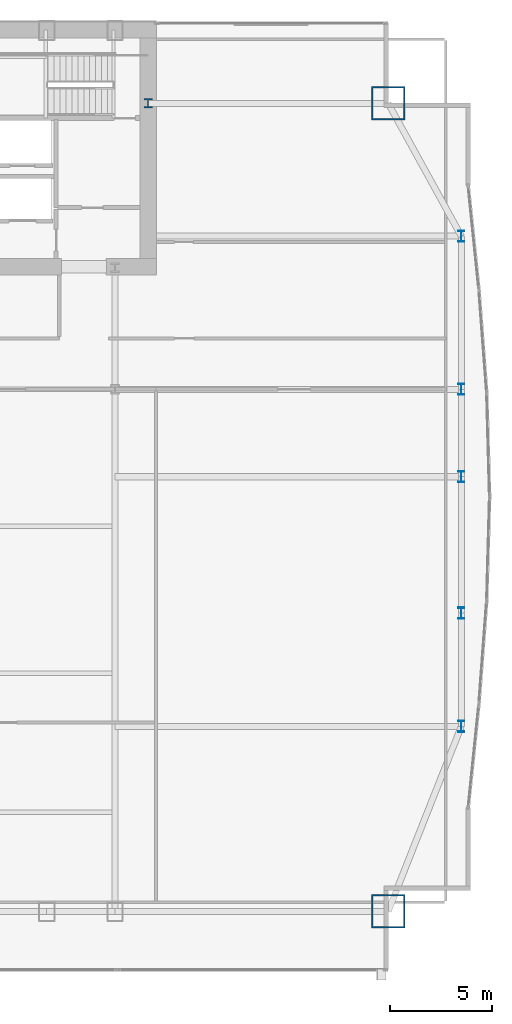
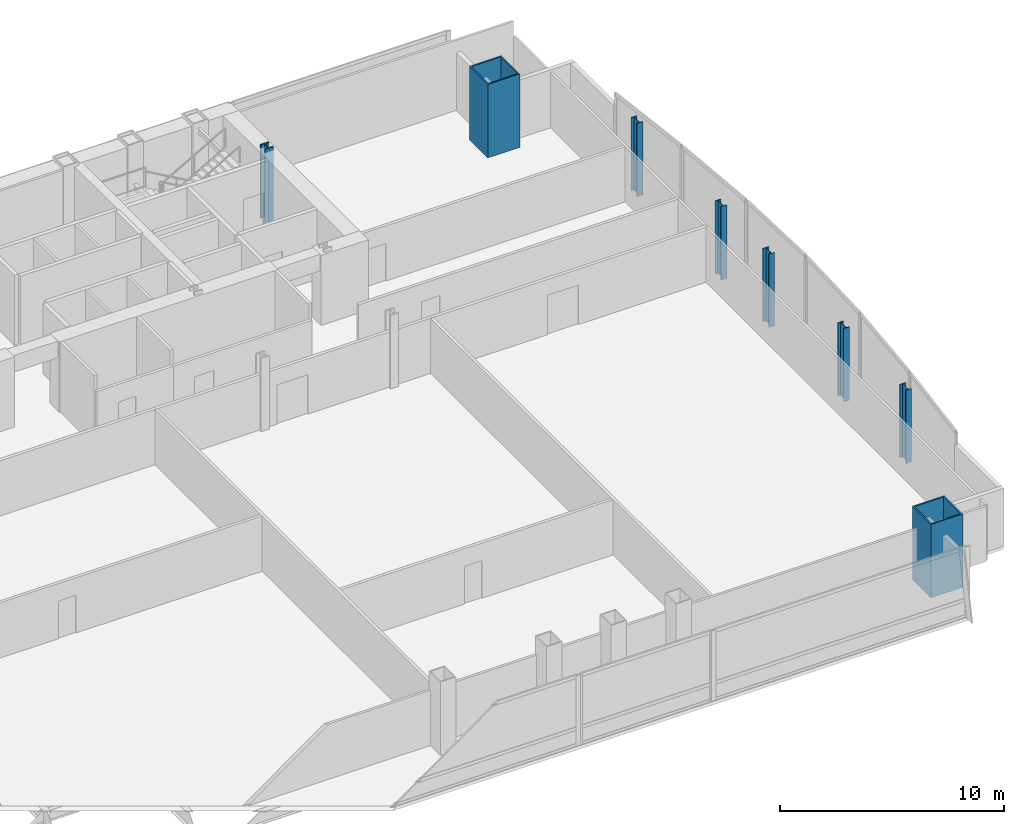
# One storey, part 4 of 32: 8 columns.
"""IFC4 building model written with IfcOpenShell, lengths in metres."""

from ifc_helpers import new_model, si_unit, direction, frame, origin, origin_2d, place, context, subcontext, project, spatial, hollow_rectangle, i_section, extrude, material, material_profile, profile_set, type_object, element, save


model = new_model("IFC4")

# Units and contexts
model_context = context("Model", 3, precision=1e-05, world=origin(), true_north=direction((0.0, 1.0)))
body_context = subcontext(model_context, "Body", "Model", "MODEL_VIEW")
ifc_project = project(units=[si_unit("LENGTHUNIT", "METRE"), si_unit("AREAUNIT", "SQUARE_METRE"), si_unit("VOLUMEUNIT", "CUBIC_METRE"), si_unit("PLANEANGLEUNIT", "RADIAN"), si_unit("MASSUNIT", "GRAM", prefix="KILO")], contexts=[model_context])

# Site, building, storey
site_placement = place(None, origin())
site = spatial("IfcSite", under=ifc_project, at=site_placement, CompositionType="ELEMENT")
building_placement = place(site_placement, origin())
building = spatial("IfcBuilding", under=site, at=building_placement, Name="Khoronbel Lancet Exchange", CompositionType="ELEMENT")
storey_placement = place(building_placement, frame((0.0, 0.0, 29.800048828125)))
storey = spatial("IfcBuildingStorey", under=building, at=storey_placement, Name="L06", CompositionType="ELEMENT", Elevation=29.800048828125)

# Columns
ifc_material_1 = material(Name="Steel S460", Category="steel")
ifc_material_profile_1 = material_profile(ifc_material_1, i_section(OverallWidth=0.424072265625, OverallDepth=0.47412109375, WebThickness=0.047607421875, FlangeThickness=0.076904296875, at=origin_2d()), Name="HD 400x634")
ifc_profile_set_1 = profile_set([ifc_material_profile_1], Name="Steel S460")
column_type_1 = type_object("IfcColumnType", Name="COL-IC1", PredefinedType="COLUMN", material=ifc_profile_set_1)
column_placement = place(storey_placement, frame((56.300048828125, 49.699951171875, 0.0), z_axis=(0.0, 0.0, 1.0), x_axis=(1.0, 0.0, 0.0)))
element("IfcColumn", 1, at=column_placement, inside=storey, type_object=column_type_1, Name="Core-flank plumb transfer column CFE L06", PredefinedType="COLUMN", context=body_context, shape_type="SweptSolid", body=[
    extrude(i_section(OverallWidth=0.424072265625, OverallDepth=0.47412109375, WebThickness=0.047607421875, FlangeThickness=0.076904296875, at=origin_2d()), origin(), (0.0, 0.0, 1.0), 4.0),
])
ifc_material_2 = material(Name="Steel S355", Category="steel")
ifc_material_profile_2 = material_profile(ifc_material_2, i_section(OverallWidth=0.300048828125, OverallDepth=0.550048828125, WebThickness=0.014892578125, FlangeThickness=0.029052734375, at=origin_2d()), Name="HEB 550")
ifc_profile_set_2 = profile_set([ifc_material_profile_2], Name="Steel S355")
column_type_2 = type_object("IfcColumnType", Name="COL-LC1", PredefinedType="COLUMN", material=ifc_profile_set_2)
for number, where, z_axis, x_axis, name in (
    (2, (71.6298828125, 19.199951171875, 0.0), (0.0, 0.0, 1.0), (1.0, 0.0, 0.0), "Structural column EC-1 L06"),
    (3, (71.6298828125, 24.75, 0.0), (0.0, 0.0, 1.0), (1.0, 0.0, 0.0), "Structural column EC-2 L06"),
    (4, (71.6298828125, 31.425048828125, 0.0), (0.0, 0.0, 1.0), (1.0, 0.0, 0.0), "Structural column EC-M L06"),
    (5, (71.6298828125, 35.699951171875, 0.0), (0.0, 0.0, 1.0), (1.0, 0.0, 0.0), "Structural column EC-3 L06"),
    (6, (71.6298828125, 43.199951171875, 0.0), (0.0, 0.0, 1.0), (1.0, 0.0, 0.0), "Structural column EC-4 L06"),
):
    element("IfcColumn", number, at=place(storey_placement, frame(where, z_axis=z_axis, x_axis=x_axis)), inside=storey, type_object=column_type_2, Name=name, PredefinedType="COLUMN", context=body_context, shape_type="SweptSolid", body=[
        extrude(i_section(OverallWidth=0.300048828125, OverallDepth=0.550048828125, WebThickness=0.014892578125, FlangeThickness=0.029052734375, at=origin_2d()), origin(), (0.0, 0.0, 1.0), 4.0),
    ])
ifc_material_profile_3 = material_profile(ifc_material_1, hollow_rectangle(XDim=1.64990234375, YDim=1.64990234375, WallThickness=0.074951171875, at=origin_2d()), Name="BOX 1650x1650x75")
ifc_profile_set_3 = profile_set([ifc_material_profile_3], Name="Steel S460")
column_type_3 = type_object("IfcColumnType", Name="COL-MC2", PredefinedType="COLUMN", material=ifc_profile_set_3)
for number, where, z_axis, x_axis, name in (
    (7, (68.050048828125, 10.14990234375, 0.0), (0.0, 0.0, 1.0), (1.0, 0.0, 0.0), "Structural column MC-SE L06"),
    (8, (68.050048828125, 49.699951171875, 0.0), (0.0, 0.0, 1.0), (1.0, 0.0, 0.0), "Structural column MC-NE L06"),
):
    element("IfcColumn", number, at=place(storey_placement, frame(where, z_axis=z_axis, x_axis=x_axis)), inside=storey, type_object=column_type_3, Name=name, PredefinedType="COLUMN", context=body_context, shape_type="SweptSolid", body=[
        extrude(hollow_rectangle(XDim=1.64990234375, YDim=1.64990234375, WallThickness=0.074951171875, at=origin_2d()), origin(), (0.0, 0.0, 1.0), 4.0),
    ])

save(model, "model.ifc")
